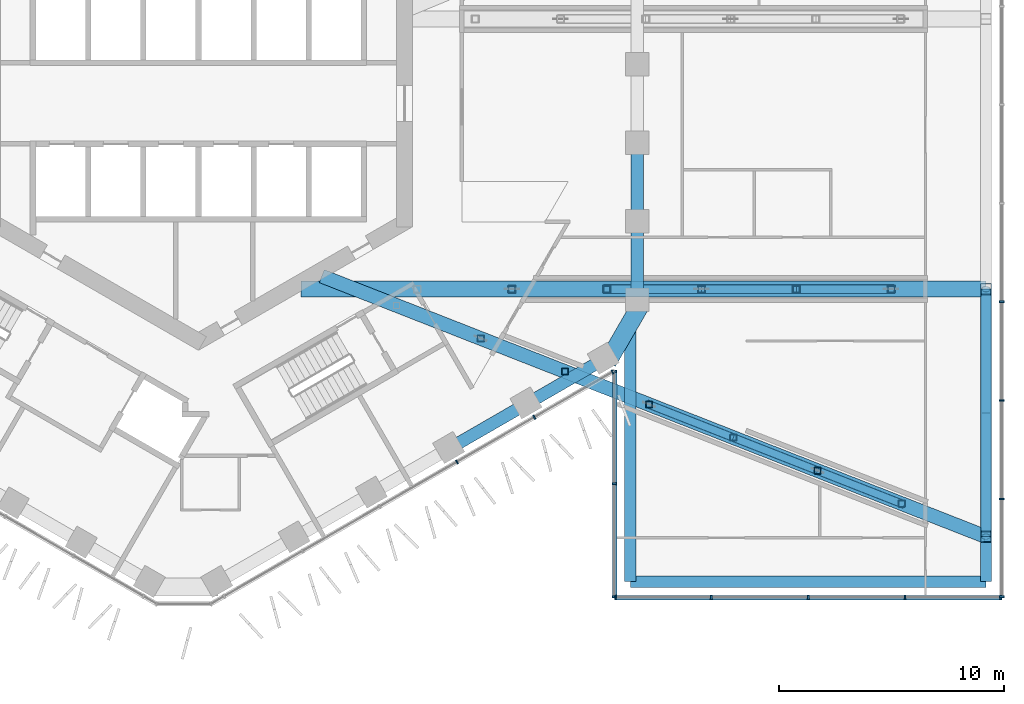
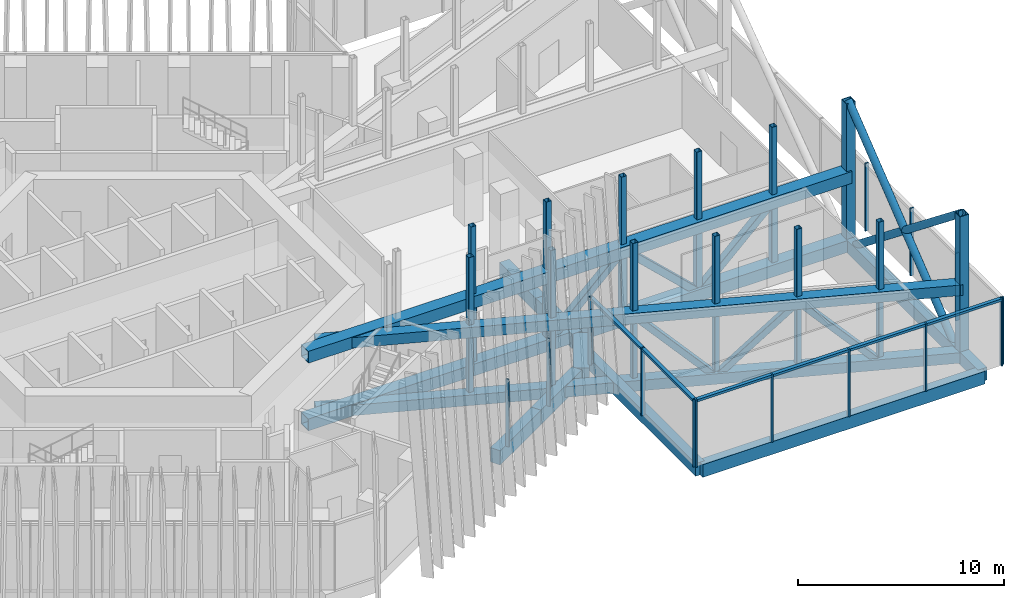
# One storey, part 5 of 28: 53 members, 9 beams, 4 elements without a shape of their own.
"""IFC4 building model written with IfcOpenShell, lengths in metres."""

from ifc_helpers import new_model, si_unit, direction, frame, origin, origin_2d, place, context, subcontext, project, spatial, rectangle, hollow_rectangle, hollow_circle, extrude, material, layer, layer_set, material_profile, profile_set, type_object, element, aggregate, save


model = new_model("IFC4")

# Units and contexts
model_context = context("Model", 3, precision=1e-05, world=origin(), true_north=direction((0.0, 1.0)))
body_context = subcontext(model_context, "Body", "Model", "MODEL_VIEW")
ifc_project = project(units=[si_unit("LENGTHUNIT", "METRE"), si_unit("AREAUNIT", "SQUARE_METRE"), si_unit("VOLUMEUNIT", "CUBIC_METRE"), si_unit("PLANEANGLEUNIT", "RADIAN"), si_unit("MASSUNIT", "GRAM", prefix="KILO")], contexts=[model_context])

# Site, building, storey
site_placement = place(None, origin())
site = spatial("IfcSite", under=ifc_project, at=site_placement, CompositionType="ELEMENT")
building_placement = place(site_placement, origin())
building = spatial("IfcBuilding", under=site, at=building_placement, Name="Ayvan Gate Tower", CompositionType="ELEMENT")
storey_placement = place(building_placement, frame((0.0, 0.0, 120.5)))
storey = spatial("IfcBuildingStorey", under=building, at=storey_placement, Name="L32", CompositionType="ELEMENT", Elevation=120.5)

# Beams
ifc_material_1 = material(Name="Concrete C40/50", Category="concrete")
ifc_material_profile_1 = material_profile(ifc_material_1, rectangle(XDim=0.800048828125, YDim=0.85009765625, at=origin_2d()), Name="RC 800x850")
ifc_profile_set_1 = profile_set([ifc_material_profile_1], Name="Concrete C40/50")
beam_type_1 = type_object("IfcBeamType", Name="Corner spandrel beam RC 800x850 C40/50", PredefinedType="BEAM", material=ifc_profile_set_1)
beam_1_placement = place(storey_placement, frame((18.176025390625, -11.48876953125, -0.824951171875), z_axis=(0.50002537861, 0.866010750942, 0.0), x_axis=(-0.866010750942, 0.50002537861, 0.0)))
element("IfcBeam", 1, at=beam_1_placement, inside=storey, type_object=beam_type_1, Name="SB-L32-36", PredefinedType="BEAM", context=body_context, shape_type="SweptSolid", body=[
    extrude(rectangle(XDim=0.800048828125, YDim=0.85009765625, at=origin_2d()), origin(), (0.0, 0.0, 1.0), 2.999755859375),
])
ifc_material_profile_2 = material_profile(ifc_material_1, rectangle(XDim=0.5, YDim=0.75, at=origin_2d()), Name="RC 500x750")
ifc_profile_set_2 = profile_set([ifc_material_profile_2], Name="Concrete C40/50")
beam_type_2 = type_object("IfcBeamType", Name="Sky bar edge beam RC 500x750 C40/50", PredefinedType="BEAM", material=ifc_profile_set_2)
beam_2_placement = place(storey_placement, frame((34.985595703125, -8.25, -0.77490234375), z_axis=(0.0, -1.0, 0.0), x_axis=(1.0, 0.0, 0.0)))
element("IfcBeam", 2, at=beam_2_placement, inside=storey, type_object=beam_type_2, Name="EB-B2-L32-6", PredefinedType="BEAM", context=body_context, shape_type="SweptSolid", body=[
    extrude(rectangle(XDim=0.5, YDim=0.75, at=origin_2d()), origin(), (0.0, 0.0, 1.0), 11.0),
])
beam_3_placement = place(storey_placement, frame((34.985595703125, -19.25, -0.77490234375), z_axis=(0.0, -1.0, 0.0), x_axis=(1.0, 0.0, 0.0)))
element("IfcBeam", 3, at=beam_3_placement, inside=storey, type_object=beam_type_2, Name="EB-B2-L32-7", PredefinedType="BEAM", context=body_context, shape_type="SweptSolid", body=[
    extrude(rectangle(XDim=0.5, YDim=0.75, at=origin_2d()), origin(), (0.0, 0.0, 1.0), 2.0),
])
beam_4_placement = place(storey_placement, frame((34.985595703125, -21.25, -0.77490234375), z_axis=(-1.0, 0.0, 0.0), x_axis=(0.0, -1.0, 0.0)))
element("IfcBeam", 4, at=beam_4_placement, inside=storey, type_object=beam_type_2, Name="EB-B2-L32-8", PredefinedType="BEAM", context=body_context, shape_type="SweptSolid", body=[
    extrude(rectangle(XDim=0.5, YDim=0.75, at=origin_2d()), origin(), (0.0, 0.0, 1.0), 15.800048828125),
])
beam_5_placement = place(storey_placement, frame((19.185546875, -21.25, -0.77490234375), z_axis=(0.0, 1.0, 0.0), x_axis=(-1.0, 0.0, 0.0)))
element("IfcBeam", 5, at=beam_5_placement, inside=storey, type_object=beam_type_2, Name="EB-B2-L32-9", PredefinedType="BEAM", context=body_context, shape_type="SweptSolid", body=[
    extrude(rectangle(XDim=0.5, YDim=0.75, at=origin_2d()), origin(), (0.0, 0.0, 1.0), 11.288818359375),
])

# Members
ifc_material_2 = material(Name="Steel S460NH", Category="steel")
ifc_material_profile_3 = material_profile(ifc_material_2, hollow_rectangle(XDim=0.35009765625, YDim=0.35009765625, WallThickness=0.012451171875, InnerFilletRadius=0.012451171875, OuterFilletRadius=0.018798828125, at=origin_2d()), Name="RHS 350x350x12.5")
ifc_profile_set_3 = profile_set([ifc_material_profile_3], Name="Steel S460NH")
member_type_1 = type_object("IfcMemberType", Name="Sky bar end truss brace B2 RHS 350x350x12.5", PredefinedType="BRACE", material=ifc_profile_set_3)
for number, where, z_axis, x_axis, name in (
    (6, (20.019775390625, -13.377685546875, 3.25), (0.659820783968, -0.258890856378, -0.705416229986), (0.365255789366, 0.930907196414, 0.0), "SBT2-1-D-5"),
    (7, (23.76123046875, -14.845703125, -0.75), (0.659813428724, -0.258931025145, 0.705408366474), (0.365308427953, 0.930886541135, 0.0), "SBT2-1-D-6"),
    (8, (27.502685546875, -16.31396484375, 3.25), (0.659820783968, -0.258890856378, -0.705416229986), (0.365255789366, 0.930907196414, 0.0), "SBT2-1-D-7"),
):
    element("IfcMember", number, at=place(storey_placement, frame(where, z_axis=z_axis, x_axis=x_axis)), inside=storey, type_object=member_type_1, Name=name, PredefinedType="BRACE", context=body_context, shape_type="SweptSolid", body=[
        extrude(hollow_rectangle(XDim=0.35009765625, YDim=0.35009765625, WallThickness=0.012451171875, InnerFilletRadius=0.012451171875, OuterFilletRadius=0.018798828125, at=origin_2d()), origin(), (0.0, 0.0, 1.0), 5.67041015625),
    ])
ifc_material_3 = material(Name="Steel S460ML", Category="steel")
ifc_material_profile_4 = material_profile(ifc_material_3, hollow_rectangle(XDim=0.6201171875, YDim=0.6201171875, WallThickness=0.034912109375, at=origin_2d()), Name="BOX 620x620x35")
ifc_profile_set_4 = profile_set([ifc_material_profile_4], Name="Steel S460ML")
member_type_2 = type_object("IfcMemberType", Name="Sky bar end truss chord B2 BOX 620x620x35", PredefinedType="CHORD", material=ifc_profile_set_4)
for number, where, z_axis, x_axis, name in (
    (9, (5.4775390625, -7.671630859375, -0.75), (0.930902602922, -0.365267496327, 0.0), (0.365267496327, 0.930902602922, 0.0), "SBT2-1-BC-1"),
    (10, (5.4775390625, -7.671630859375, 3.25), (0.930902602922, -0.365267496327, 0.0), (0.365267496327, 0.930902602922, 0.0), "SBT2-1-TC-1"),
):
    element("IfcMember", number, at=place(storey_placement, frame(where, z_axis=z_axis, x_axis=x_axis)), inside=storey, type_object=member_type_2, Name=name, PredefinedType="CHORD", context=body_context, shape_type="SweptSolid", body=[
        extrude(hollow_rectangle(XDim=0.6201171875, YDim=0.6201171875, WallThickness=0.034912109375, at=origin_2d()), origin(), (0.0, 0.0, 1.0), 31.6982421875),
    ])
ifc_material_profile_5 = material_profile(ifc_material_2, hollow_rectangle(XDim=0.280029296875, YDim=0.280029296875, WallThickness=0.012451171875, InnerFilletRadius=0.012451171875, OuterFilletRadius=0.018798828125, at=origin_2d()), Name="RHS 280x280x12.5")
ifc_profile_set_5 = profile_set([ifc_material_profile_5], Name="Steel S460NH")
member_type_3 = type_object("IfcMemberType", Name="Sky bar end truss post B2 RHS 280x280x12.5", PredefinedType="POST", material=ifc_profile_set_5)
for number, where, z_axis, x_axis, name in (
    (11, (12.536865234375, -10.441650390625, -0.39990234375), (0.0, 0.0, 1.0), (1.0, 0.0, 0.0), "SBT2-1-P-2"),
    (12, (16.2783203125, -11.90966796875, -0.39990234375), (0.0, 0.0, 1.0), (1.0, 0.0, 0.0), "SBT2-1-P-3"),
    (13, (20.019775390625, -13.377685546875, -0.39990234375), (0.0, 0.0, 1.0), (1.0, 0.0, 0.0), "SBT2-1-P-4"),
    (14, (23.76123046875, -14.845703125, -0.39990234375), (0.0, 0.0, 1.0), (1.0, 0.0, 0.0), "SBT2-1-P-5"),
    (15, (27.502685546875, -16.31396484375, -0.39990234375), (0.0, 0.0, 1.0), (1.0, 0.0, 0.0), "SBT2-1-P-6"),
    (16, (31.244140625, -17.781982421875, -0.39990234375), (0.0, 0.0, 1.0), (1.0, 0.0, 0.0), "SBT2-1-P-7"),
):
    element("IfcMember", number, at=place(storey_placement, frame(where, z_axis=z_axis, x_axis=x_axis)), inside=storey, type_object=member_type_3, Name=name, PredefinedType="POST", context=body_context, shape_type="SweptSolid", body=[
        extrude(hollow_rectangle(XDim=0.280029296875, YDim=0.280029296875, WallThickness=0.012451171875, InnerFilletRadius=0.012451171875, OuterFilletRadius=0.018798828125, at=origin_2d()), origin(), (0.0, 0.0, 1.0), 3.2998046875),
    ])
ifc_material_profile_6 = material_profile(ifc_material_3, hollow_rectangle(XDim=0.5, YDim=0.5, WallThickness=0.030029296875, at=origin_2d()), Name="BOX 500x500x30")
ifc_profile_set_6 = profile_set([ifc_material_profile_6], Name="Steel S460ML")
member_type_4 = type_object("IfcMemberType", Name="Sky bar end wall post BOX 500x500x30", PredefinedType="POST", material=ifc_profile_set_6)
for number, where, z_axis, x_axis, name in (
    (17, (34.985595703125, -19.25, -1.10009765625), (0.0, 0.0, 1.0), (1.0, 0.0, 0.0), "EXO-B2-P1"),
    (18, (34.985595703125, -8.25, -1.10009765625), (0.0, 0.0, 1.0), (1.0, 0.0, 0.0), "EXO-B2-P2"),
):
    element("IfcMember", number, at=place(storey_placement, frame(where, z_axis=z_axis, x_axis=x_axis)), inside=storey, type_object=member_type_4, Name=name, PredefinedType="POST", context=body_context, shape_type="SweptSolid", body=[
        extrude(hollow_rectangle(XDim=0.5, YDim=0.5, WallThickness=0.030029296875, at=origin_2d()), origin(), (0.0, 0.0, 1.0), 8.7001953125),
    ])
ifc_material_profile_7 = material_profile(ifc_material_2, hollow_circle(Radius=0.203125, WallThickness=0.01611328125, at=origin_2d()), Name="CHS 406.4x16")
ifc_profile_set_7 = profile_set([ifc_material_profile_7], Name="Steel S460NH")
member_type_5 = type_object("IfcMemberType", Name="Sky bar exoskeleton brace CHS 406.4x16", PredefinedType="BRACE", material=ifc_profile_set_7)
for number, where, z_axis, x_axis, name in (
    (19, (34.985595703125, -19.25, -1.10009765625), (0.0, 0.784328133219, 0.620346177099), (-1.0, 0.0, 0.0), "EXO-B2-D1A"),
    (20, (34.985595703125, -8.25, -1.10009765625), (0.0, -0.784328133219, 0.620346177099), (1.0, 0.0, 0.0), "EXO-B2-D1B"),
):
    element("IfcMember", number, at=place(storey_placement, frame(where, z_axis=z_axis, x_axis=x_axis)), inside=storey, type_object=member_type_5, Name=name, PredefinedType="BRACE", context=body_context, shape_type="SweptSolid", body=[
        extrude(hollow_circle(Radius=0.203125, WallThickness=0.01611328125, at=origin_2d()), origin(), (0.0, 0.0, 1.0), 14.024658203125),
    ])
ifc_material_profile_8 = material_profile(ifc_material_2, hollow_rectangle(XDim=0.39990234375, YDim=0.39990234375, WallThickness=0.01611328125, InnerFilletRadius=0.01611328125, OuterFilletRadius=0.02392578125, at=origin_2d()), Name="RHS 400x400x16")
ifc_profile_set_8 = profile_set([ifc_material_profile_8], Name="Steel S460NH")
member_type_6 = type_object("IfcMemberType", Name="Sky bar truss brace B2 RHS 400x400x16", PredefinedType="BRACE", material=ifc_profile_set_8)
for number, where, z_axis, x_axis, name in (
    (21, (18.135498046875, -8.25, -0.75), (0.725172543459, 0.0, 0.688567195133), (0.0, 1.0, 0.0), "SBT2-2-D-4"),
    (22, (22.34814453125, -8.25, 3.25), (0.725152616597, 0.0, -0.688588180731), (0.0, 1.0, 0.0), "SBT2-2-D-5"),
    (23, (26.560546875, -8.25, -0.75), (0.725172543459, 0.0, 0.688567195133), (0.0, 1.0, 0.0), "SBT2-2-D-6"),
):
    element("IfcMember", number, at=place(storey_placement, frame(where, z_axis=z_axis, x_axis=x_axis)), inside=storey, type_object=member_type_6, Name=name, PredefinedType="BRACE", context=body_context, shape_type="SweptSolid", body=[
        extrude(hollow_rectangle(XDim=0.39990234375, YDim=0.39990234375, WallThickness=0.01611328125, InnerFilletRadius=0.01611328125, OuterFilletRadius=0.02392578125, at=origin_2d()), origin(), (0.0, 0.0, 1.0), 5.80908203125),
    ])
ifc_material_profile_9 = material_profile(ifc_material_3, hollow_rectangle(XDim=0.699951171875, YDim=0.699951171875, WallThickness=0.0400390625, at=origin_2d()), Name="BOX 700x700x40")
ifc_profile_set_9 = profile_set([ifc_material_profile_9], Name="Steel S460ML")
member_type_7 = type_object("IfcMemberType", Name="Sky bar truss chord B2 BOX 700x700x40", PredefinedType="CHORD", material=ifc_profile_set_9)
for number, where, z_axis, x_axis, name in (
    (24, (4.560546875, -8.25, -0.75), (1.0, 0.0, 0.0), (0.0, 1.0, 0.0), "SBT2-2-BC-1"),
    (25, (4.560546875, -8.25, 3.25), (1.0, 0.0, 0.0), (0.0, 1.0, 0.0), "SBT2-2-TC-1"),
):
    element("IfcMember", number, at=place(storey_placement, frame(where, z_axis=z_axis, x_axis=x_axis)), inside=storey, type_object=member_type_7, Name=name, PredefinedType="CHORD", context=body_context, shape_type="SweptSolid", body=[
        extrude(hollow_rectangle(XDim=0.699951171875, YDim=0.699951171875, WallThickness=0.0400390625, at=origin_2d()), origin(), (0.0, 0.0, 1.0), 30.425048828125),
    ])
ifc_material_profile_10 = material_profile(ifc_material_2, hollow_rectangle(XDim=0.35009765625, YDim=0.35009765625, WallThickness=0.01611328125, InnerFilletRadius=0.01611328125, OuterFilletRadius=0.02392578125, at=origin_2d()), Name="RHS 350x350x16")
ifc_profile_set_10 = profile_set([ifc_material_profile_10], Name="Steel S460NH")
member_type_8 = type_object("IfcMemberType", Name="Sky bar truss post B2 RHS 350x350x16", PredefinedType="POST", material=ifc_profile_set_10)
for number, where, z_axis, x_axis, name in (
    (26, (13.923095703125, -8.25, -0.39990234375), (0.0, 0.0, 1.0), (1.0, 0.0, 0.0), "SBT2-2-P-2"),
    (27, (18.135498046875, -8.25, -0.39990234375), (0.0, 0.0, 1.0), (1.0, 0.0, 0.0), "SBT2-2-P-3"),
    (28, (22.34814453125, -8.25, -0.39990234375), (0.0, 0.0, 1.0), (1.0, 0.0, 0.0), "SBT2-2-P-4"),
    (29, (26.560546875, -8.25, -0.39990234375), (0.0, 0.0, 1.0), (1.0, 0.0, 0.0), "SBT2-2-P-5"),
    (30, (30.773193359375, -8.25, -0.39990234375), (0.0, 0.0, 1.0), (1.0, 0.0, 0.0), "SBT2-2-P-6"),
):
    element("IfcMember", number, at=place(storey_placement, frame(where, z_axis=z_axis, x_axis=x_axis)), inside=storey, type_object=member_type_8, Name=name, PredefinedType="POST", context=body_context, shape_type="SweptSolid", body=[
        extrude(hollow_rectangle(XDim=0.35009765625, YDim=0.35009765625, WallThickness=0.01611328125, InnerFilletRadius=0.01611328125, OuterFilletRadius=0.02392578125, at=origin_2d()), origin(), (0.0, 0.0, 1.0), 3.2998046875),
    ])
ifc_material_profile_11 = material_profile(ifc_material_2, hollow_rectangle(XDim=0.300048828125, YDim=0.300048828125, WallThickness=0.012451171875, InnerFilletRadius=0.012451171875, OuterFilletRadius=0.018798828125, at=origin_2d()), Name="RHS 300x300x12.5")
ifc_profile_set_11 = profile_set([ifc_material_profile_11], Name="Steel S460NH")
member_type_9 = type_object("IfcMemberType", Name="Sky bar upper post B2 RHS 300x300x12.5", PredefinedType="POST", material=ifc_profile_set_11)
for number, where, z_axis, x_axis, name in (
    (31, (12.536865234375, -10.441650390625, 3.60009765625), (0.0, 0.0, 1.0), (1.0, 0.0, 0.0), "SBT2-1-U-2"),
    (32, (16.2783203125, -11.90966796875, 3.60009765625), (0.0, 0.0, 1.0), (1.0, 0.0, 0.0), "SBT2-1-U-3"),
    (33, (20.019775390625, -13.377685546875, 3.60009765625), (0.0, 0.0, 1.0), (1.0, 0.0, 0.0), "SBT2-1-U-4"),
    (34, (23.76123046875, -14.845703125, 3.60009765625), (0.0, 0.0, 1.0), (1.0, 0.0, 0.0), "SBT2-1-U-5"),
    (35, (27.502685546875, -16.31396484375, 3.60009765625), (0.0, 0.0, 1.0), (1.0, 0.0, 0.0), "SBT2-1-U-6"),
    (36, (31.244140625, -17.781982421875, 3.60009765625), (0.0, 0.0, 1.0), (1.0, 0.0, 0.0), "SBT2-1-U-7"),
    (37, (13.923095703125, -8.25, 3.60009765625), (0.0, 0.0, 1.0), (1.0, 0.0, 0.0), "SBT2-2-U-2"),
    (38, (18.135498046875, -8.25, 3.60009765625), (0.0, 0.0, 1.0), (1.0, 0.0, 0.0), "SBT2-2-U-3"),
    (39, (22.34814453125, -8.25, 3.60009765625), (0.0, 0.0, 1.0), (1.0, 0.0, 0.0), "SBT2-2-U-4"),
    (40, (26.560546875, -8.25, 3.60009765625), (0.0, 0.0, 1.0), (1.0, 0.0, 0.0), "SBT2-2-U-5"),
    (41, (30.773193359375, -8.25, 3.60009765625), (0.0, 0.0, 1.0), (1.0, 0.0, 0.0), "SBT2-2-U-6"),
):
    element("IfcMember", number, at=place(storey_placement, frame(where, z_axis=z_axis, x_axis=x_axis)), inside=storey, type_object=member_type_9, Name=name, PredefinedType="POST", context=body_context, shape_type="SweptSolid", body=[
        extrude(hollow_rectangle(XDim=0.300048828125, YDim=0.300048828125, WallThickness=0.012451171875, InnerFilletRadius=0.012451171875, OuterFilletRadius=0.018798828125, at=origin_2d()), origin(), (0.0, 0.0, 1.0), 4.0),
    ])

# Beams
ifc_material_profile_12 = material_profile(ifc_material_1, rectangle(XDim=0.550048828125, YDim=0.85009765625, at=origin_2d()), Name="RC 550x850")
ifc_profile_set_12 = profile_set([ifc_material_profile_12], Name="Concrete C40/50")
beam_type_3 = type_object("IfcBeamType", Name="Spandrel beam RC 550x850 C40/50", PredefinedType="BEAM", material=ifc_profile_set_12)
beam_6_placement = place(storey_placement, frame((19.485595703125, -8.78076171875, -0.824951171875), z_axis=(0.0, 1.0, 0.0), x_axis=(-1.0, 0.0, 0.0)))
element("IfcBeam", 42, at=beam_6_placement, inside=storey, type_object=beam_type_3, Name="SB-L32-1", PredefinedType="BEAM", context=body_context, shape_type="SweptSolid", body=[
    extrude(rectangle(XDim=0.550048828125, YDim=0.85009765625, at=origin_2d()), origin(), (0.0, 0.0, 1.0), 3.51220703125),
])
beam_7_placement = place(storey_placement, frame((19.485595703125, -5.2685546875, -0.824951171875), z_axis=(0.0, 1.0, 0.0), x_axis=(-1.0, 0.0, 0.0)))
element("IfcBeam", 43, at=beam_7_placement, inside=storey, type_object=beam_type_3, Name="SB-L32-2", PredefinedType="BEAM", context=body_context, shape_type="SweptSolid", body=[
    extrude(rectangle(XDim=0.550048828125, YDim=0.85009765625, at=origin_2d()), origin(), (0.0, 0.0, 1.0), 3.512451171875),
])
for number, where, z_axis, x_axis, name in (
    (44, (11.135986328125, -15.33349609375, -0.824951171875), (0.866027263711, 0.4999967785, 0.0), (-0.4999967785, 0.866027263711, 0.0), "SB-L32-34"),
    (45, (14.560791015625, -13.356201171875, -0.824951171875), (0.866027263711, 0.4999967785, 0.0), (-0.4999967785, 0.866027263711, 0.0), "SB-L32-35"),
):
    element("IfcBeam", number, at=place(storey_placement, frame(where, z_axis=z_axis, x_axis=x_axis)), inside=storey, type_object=beam_type_3, Name=name, PredefinedType="BEAM", context=body_context, shape_type="SweptSolid", body=[
        extrude(rectangle(XDim=0.550048828125, YDim=0.85009765625, at=origin_2d()), origin(), (0.0, 0.0, 1.0), 3.95458984375),
    ])

# Curtain wall, members
ifc_material_4 = material(Name="Bronze anodised aluminium", Category="aluminium")
ifc_layer_1 = layer(ifc_material_4, 0.199951171875)
ifc_layer_set_1 = layer_set([ifc_layer_1], Name="Bronze anodised aluminium")
curtain_wall_type_1 = type_object("IfcCurtainWallType", Name="Stick curtain wall CW-1", PredefinedType="NOTDEFINED", material=ifc_layer_set_1)
curtain_wall_1_placement = place(storey_placement, origin())
curtain_wall_1 = element("IfcCurtainWall", 46, at=curtain_wall_1_placement, inside=storey, type_object=curtain_wall_type_1, Name="Stick curtain wall CW-1 L32", PredefinedType="NOTDEFINED")
ifc_material_profile_13 = material_profile(ifc_material_4, rectangle(XDim=0.199951171875, YDim=0.06005859375, at=origin_2d()), Name="Stick curtain wall CW-1 mullion 200 x 60")
ifc_profile_set_13 = profile_set([ifc_material_profile_13], Name="Bronze anodised aluminium")
member_type_10 = type_object("IfcMemberType", Name="Stick curtain wall CW-1 mullion 200 x 60", PredefinedType="MULLION", material=ifc_profile_set_13)
member_1_placement = place(storey_placement, frame((11.483642578125, -15.92431640625, 0.0), z_axis=(0.0, 0.0, 1.0), x_axis=(0.5, -0.866025403784, 0.0)))
member_1 = element("IfcMember", 47, at=member_1_placement, type_object=member_type_10, Name="CW-1 mullion 4", PredefinedType="MULLION", context=body_context, shape_type="SweptSolid", body=[
    extrude(rectangle(XDim=0.199951171875, YDim=0.06005859375, at=origin_2d()), origin(), (0.0, 0.0, 1.0), 4.0),
])
member_2_placement = place(storey_placement, frame((14.91845703125, -13.94140625, 0.0), z_axis=(0.0, 0.0, 1.0), x_axis=(0.5, -0.866025403784, 0.0)))
member_2 = element("IfcMember", 48, at=member_2_placement, type_object=member_type_10, Name="CW-1 mullion 5", PredefinedType="MULLION", context=body_context, shape_type="SweptSolid", body=[
    extrude(rectangle(XDim=0.199951171875, YDim=0.06005859375, at=origin_2d()), origin(), (0.0, 0.0, 1.0), 4.0),
])
member_3_placement = place(storey_placement, frame((18.389404296875, -11.937255859375, 0.0), z_axis=(0.0, 0.0, 1.0), x_axis=(0.5, -0.866025403784, 0.0)))
member_3 = element("IfcMember", 49, at=member_3_placement, type_object=member_type_10, Name="CW-1 mullion 6", PredefinedType="MULLION", context=body_context, shape_type="SweptSolid", body=[
    extrude(rectangle(XDim=0.199951171875, YDim=0.06005859375, at=origin_2d()), origin(), (0.0, 0.0, 1.0), 4.0),
])
aggregate(curtain_wall_1, [member_1, member_2, member_3])

ifc_layer_2 = layer(ifc_material_4, 0.199951171875)
ifc_layer_set_2 = layer_set([ifc_layer_2], Name="Bronze anodised aluminium")
curtain_wall_type_2 = type_object("IfcCurtainWallType", Name="Stick curtain wall CW-4", PredefinedType="NOTDEFINED", material=ifc_layer_set_2)
curtain_wall_2_placement = place(storey_placement, origin())
curtain_wall_2 = element("IfcCurtainWall", 50, at=curtain_wall_2_placement, inside=storey, type_object=curtain_wall_type_2, Name="Stick curtain wall CW-4 L32", PredefinedType="NOTDEFINED")
ifc_material_profile_14 = material_profile(ifc_material_4, rectangle(XDim=0.199951171875, YDim=0.080078125, at=origin_2d()), Name="Stick curtain wall CW-4 mullion 200 x 80")
ifc_profile_set_14 = profile_set([ifc_material_profile_14], Name="Bronze anodised aluminium")
member_type_11 = type_object("IfcMemberType", Name="Stick curtain wall CW-4 mullion 200 x 80", PredefinedType="MULLION", material=ifc_profile_set_14)
member_4_placement = place(storey_placement, frame((18.525634765625, -21.949951171875, 0.0), z_axis=(0.0, 0.0, 1.0), x_axis=(0.0, -1.0, 0.0)))
member_4 = element("IfcMember", 51, at=member_4_placement, type_object=member_type_11, Name="CW-4 mullion 1", PredefinedType="MULLION", context=body_context, shape_type="SweptSolid", body=[
    extrude(rectangle(XDim=0.199951171875, YDim=0.080078125, at=origin_2d()), origin(), (0.0, 0.0, 1.0), 4.0),
])
member_5_placement = place(storey_placement, frame((22.78564453125, -21.949951171875, 0.0), z_axis=(0.0, 0.0, 1.0), x_axis=(0.0, -1.0, 0.0)))
member_5 = element("IfcMember", 52, at=member_5_placement, type_object=member_type_11, Name="CW-4 mullion 2", PredefinedType="MULLION", context=body_context, shape_type="SweptSolid", body=[
    extrude(rectangle(XDim=0.199951171875, YDim=0.080078125, at=origin_2d()), origin(), (0.0, 0.0, 1.0), 4.0),
])
member_6_placement = place(storey_placement, frame((27.085693359375, -21.949951171875, 0.0), z_axis=(0.0, 0.0, 1.0), x_axis=(0.0, -1.0, 0.0)))
member_6 = element("IfcMember", 53, at=member_6_placement, type_object=member_type_11, Name="CW-4 mullion 3", PredefinedType="MULLION", context=body_context, shape_type="SweptSolid", body=[
    extrude(rectangle(XDim=0.199951171875, YDim=0.080078125, at=origin_2d()), origin(), (0.0, 0.0, 1.0), 4.0),
])
member_7_placement = place(storey_placement, frame((31.385498046875, -21.949951171875, 0.0), z_axis=(0.0, 0.0, 1.0), x_axis=(0.0, -1.0, 0.0)))
member_7 = element("IfcMember", 54, at=member_7_placement, type_object=member_type_11, Name="CW-4 mullion 4", PredefinedType="MULLION", context=body_context, shape_type="SweptSolid", body=[
    extrude(rectangle(XDim=0.199951171875, YDim=0.080078125, at=origin_2d()), origin(), (0.0, 0.0, 1.0), 4.0),
])
member_8_placement = place(storey_placement, frame((35.6455078125, -21.949951171875, 0.0), z_axis=(0.0, 0.0, 1.0), x_axis=(0.0, -1.0, 0.0)))
member_8 = element("IfcMember", 55, at=member_8_placement, type_object=member_type_11, Name="CW-4 mullion 5", PredefinedType="MULLION", context=body_context, shape_type="SweptSolid", body=[
    extrude(rectangle(XDim=0.199951171875, YDim=0.080078125, at=origin_2d()), origin(), (0.0, 0.0, 1.0), 4.0),
])

curtain_wall_3_placement = place(storey_placement, origin())
curtain_wall_3 = element("IfcCurtainWall", 56, at=curtain_wall_3_placement, inside=storey, type_object=curtain_wall_type_2, Name="Stick curtain wall CW-4 L32", PredefinedType="NOTDEFINED")
member_9_placement = place(storey_placement, frame((35.685546875, -21.909912109375, 0.0), z_axis=(0.0, 0.0, 1.0), x_axis=(1.0, 0.0, 0.0)))
member_9 = element("IfcMember", 57, at=member_9_placement, type_object=member_type_11, Name="CW-4 mullion 1", PredefinedType="MULLION", context=body_context, shape_type="SweptSolid", body=[
    extrude(rectangle(XDim=0.199951171875, YDim=0.080078125, at=origin_2d()), origin(), (0.0, 0.0, 1.0), 4.0),
])
member_10_placement = place(storey_placement, frame((35.685546875, -17.572265625, 0.0), z_axis=(0.0, 0.0, 1.0), x_axis=(1.0, 0.0, 0.0)))
member_10 = element("IfcMember", 58, at=member_10_placement, type_object=member_type_11, Name="CW-4 mullion 2", PredefinedType="MULLION", context=body_context, shape_type="SweptSolid", body=[
    extrude(rectangle(XDim=0.199951171875, YDim=0.080078125, at=origin_2d()), origin(), (0.0, 0.0, 1.0), 4.0),
])
member_11_placement = place(storey_placement, frame((35.685546875, -13.1943359375, 0.0), z_axis=(0.0, 0.0, 1.0), x_axis=(1.0, 0.0, 0.0)))
member_11 = element("IfcMember", 59, at=member_11_placement, type_object=member_type_11, Name="CW-4 mullion 3", PredefinedType="MULLION", context=body_context, shape_type="SweptSolid", body=[
    extrude(rectangle(XDim=0.199951171875, YDim=0.080078125, at=origin_2d()), origin(), (0.0, 0.0, 1.0), 4.0),
])
member_12_placement = place(storey_placement, frame((35.685546875, -8.816650390625, 0.0), z_axis=(0.0, 0.0, 1.0), x_axis=(1.0, 0.0, 0.0)))
member_12 = element("IfcMember", 60, at=member_12_placement, type_object=member_type_11, Name="CW-4 mullion 4", PredefinedType="MULLION", context=body_context, shape_type="SweptSolid", body=[
    extrude(rectangle(XDim=0.199951171875, YDim=0.080078125, at=origin_2d()), origin(), (0.0, 0.0, 1.0), 4.0),
])
aggregate(curtain_wall_3, [member_9, member_10, member_11, member_12])

curtain_wall_4_placement = place(storey_placement, origin())
curtain_wall_4 = element("IfcCurtainWall", 61, at=curtain_wall_4_placement, inside=storey, type_object=curtain_wall_type_2, Name="Stick curtain wall CW-4 L32", PredefinedType="NOTDEFINED")
member_13_placement = place(storey_placement, frame((18.485595703125, -11.89208984375, 0.0), z_axis=(0.0, 0.0, 1.0), x_axis=(-1.0, 0.0, 0.0)))
member_13 = element("IfcMember", 62, at=member_13_placement, type_object=member_type_11, Name="CW-4 mullion 1", PredefinedType="MULLION", context=body_context, shape_type="SweptSolid", body=[
    extrude(rectangle(XDim=0.199951171875, YDim=0.080078125, at=origin_2d()), origin(), (0.0, 0.0, 1.0), 4.0),
])
member_14_placement = place(storey_placement, frame((18.485595703125, -16.901123046875, 0.0), z_axis=(0.0, 0.0, 1.0), x_axis=(-1.0, 0.0, 0.0)))
member_14 = element("IfcMember", 63, at=member_14_placement, type_object=member_type_11, Name="CW-4 mullion 2", PredefinedType="MULLION", context=body_context, shape_type="SweptSolid", body=[
    extrude(rectangle(XDim=0.199951171875, YDim=0.080078125, at=origin_2d()), origin(), (0.0, 0.0, 1.0), 4.0),
])
member_15_placement = place(storey_placement, frame((18.485595703125, -21.909912109375, 0.0), z_axis=(0.0, 0.0, 1.0), x_axis=(-1.0, 0.0, 0.0)))
member_15 = element("IfcMember", 64, at=member_15_placement, type_object=member_type_11, Name="CW-4 mullion 3", PredefinedType="MULLION", context=body_context, shape_type="SweptSolid", body=[
    extrude(rectangle(XDim=0.199951171875, YDim=0.080078125, at=origin_2d()), origin(), (0.0, 0.0, 1.0), 4.0),
])

# Member
ifc_material_profile_15 = material_profile(ifc_material_4, rectangle(XDim=0.199951171875, YDim=0.139892578125, at=origin_2d()), Name="Stick curtain wall CW-4 transom 200 x 140")
ifc_profile_set_15 = profile_set([ifc_material_profile_15], Name="Bronze anodised aluminium")
member_type_12 = type_object("IfcMemberType", Name="Stick curtain wall CW-4 transom 200 x 140", PredefinedType="USERDEFINED", material=ifc_profile_set_15)
member_16_placement = place(storey_placement, frame((18.525634765625, -21.949951171875, 3.929931640625), z_axis=(1.0, 0.0, 0.0), x_axis=(0.0, 1.0, 0.0)))
member_16 = element("IfcMember", 65, at=member_16_placement, type_object=member_type_12, Name="CW-4 transom 1", ObjectType="TRANSOM", PredefinedType="USERDEFINED", context=body_context, shape_type="SweptSolid", body=[
    extrude(rectangle(XDim=0.199951171875, YDim=0.139892578125, at=origin_2d()), origin(), (0.0, 0.0, 1.0), 17.119873046875),
])

aggregate(curtain_wall_2, [member_4, member_5, member_6, member_7, member_8, member_16])

member_17_placement = place(storey_placement, frame((18.485595703125, -11.89208984375, 3.929931640625), z_axis=(0.0, -1.0, 0.0), x_axis=(1.0, 0.0, 0.0)))
member_17 = element("IfcMember", 66, at=member_17_placement, type_object=member_type_12, Name="CW-4 transom 1", ObjectType="TRANSOM", PredefinedType="USERDEFINED", context=body_context, shape_type="SweptSolid", body=[
    extrude(rectangle(XDim=0.199951171875, YDim=0.139892578125, at=origin_2d()), origin(), (0.0, 0.0, 1.0), 10.017822265625),
])

aggregate(curtain_wall_4, [member_13, member_14, member_15, member_17])

save(model, "model.ifc")
